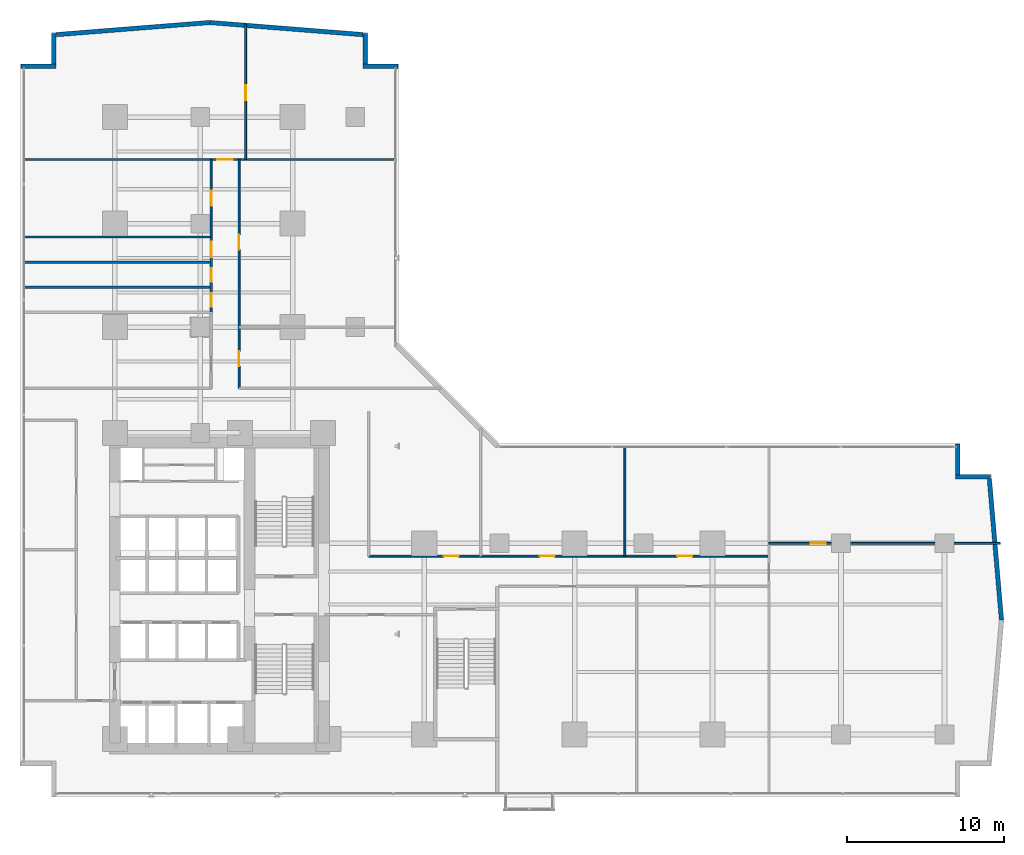
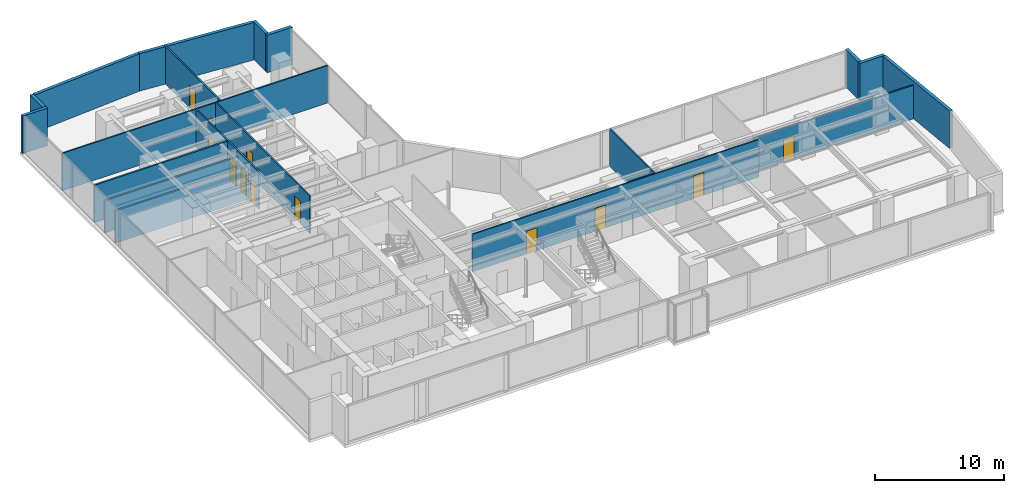
# One storey, part 25 of 30: 20 walls, 12 doors, 12 openings.
"""IFC4 building model written with IfcOpenShell, lengths in metres."""

from ifc_helpers import new_model, si_unit, direction, frame, frame_2d, origin, place, context, subcontext, project, spatial, rectangle, extrude, material, layer, layer_set, type_object, element, fill, save


model = new_model("IFC4")

# Units and contexts
model_context = context("Model", 3, precision=1e-05, world=origin(), true_north=direction((0.0, 1.0)))
body_context = subcontext(model_context, "Body", "Model", "MODEL_VIEW")
ifc_project = project(units=[si_unit("LENGTHUNIT", "METRE"), si_unit("AREAUNIT", "SQUARE_METRE"), si_unit("VOLUMEUNIT", "CUBIC_METRE"), si_unit("PLANEANGLEUNIT", "RADIAN"), si_unit("MASSUNIT", "GRAM", prefix="KILO")], contexts=[model_context])

# Site, building, storey
site_placement = place(None, origin())
site = spatial("IfcSite", under=ifc_project, at=site_placement, CompositionType="ELEMENT")
building_placement = place(site_placement, origin())
building = spatial("IfcBuilding", under=site, at=building_placement, Name="Kolvaren Waterfront Exchange", CompositionType="ELEMENT")
storey_placement = place(building_placement, frame((0.0, 0.0, 52.39990234375)))
storey = spatial("IfcBuildingStorey", under=building, at=storey_placement, Name="L13", CompositionType="ELEMENT", Elevation=52.39990234375)

# Walls
ifc_material_1 = material(Name="Precast concrete C40/50", Category="concrete")
ifc_layer_1 = layer(ifc_material_1, 0.280029296875, Name="Precast concrete C40/50")
ifc_layer_set_1 = layer_set([ifc_layer_1], Name="Precast concrete C40/50")
wall_type_1 = type_object("IfcWallType", Name="ARC-EXT-TERR-280", PredefinedType="SOLIDWALL", material=ifc_layer_set_1)
wall_1_placement = place(storey_placement, frame((61.239990234375, 21.764892578125, 0.0), z_axis=(0.0, 0.0, 1.0), x_axis=(0.0, 1.0, 0.0)))
element("IfcWall", 1, at=wall_1_placement, inside=storey, type_object=wall_type_1, Name="L13 notched corner spandrel pier ENE-A", PredefinedType="SOLIDWALL", context=body_context, shape_type="SweptSolid", body=[
    extrude(rectangle(XDim=1.97509765625, YDim=0.280029296875, at=frame_2d((0.987548828125, 0.0))), origin(), (0.0, 0.0, 1.0), 3.5400390625),
])
for number, where, z_axis, x_axis, name in (
    (2, (61.10009765625, 21.639892578125, 0.0), (0.0, 0.0, 1.0), (1.0, 0.0, 0.0), "L13 notched corner spandrel pier ENE-B"),
    (3, (23.300048828125, 47.840087890625, 0.0), (0.0, 0.0, 1.0), (1.0, 0.0, 0.0), "L13 notched corner spandrel pier NNE-A"),
):
    element("IfcWall", number, at=place(storey_placement, frame(where, z_axis=z_axis, x_axis=x_axis)), inside=storey, type_object=wall_type_1, Name=name, PredefinedType="SOLIDWALL", context=body_context, shape_type="SweptSolid", body=[
        extrude(rectangle(XDim=2.239990234375, YDim=0.280029296875, at=frame_2d((1.1201171875, 0.0))), origin(), (0.0, 0.0, 1.0), 3.5400390625),
    ])
wall_2_placement = place(storey_placement, frame((23.43994140625, 47.97998046875, 0.0), z_axis=(0.0, 0.0, 1.0), x_axis=(0.0, 1.0, 0.0)))
element("IfcWall", 4, at=wall_2_placement, inside=storey, type_object=wall_type_1, Name="L13 notched corner spandrel pier NNE-B", PredefinedType="SOLIDWALL", context=body_context, shape_type="SweptSolid", body=[
    extrude(rectangle(XDim=1.9599609375, YDim=0.280029296875, at=frame_2d((0.97998046875, 0.0))), origin(), (0.0, 0.0, 1.0), 3.5400390625),
])
wall_3_placement = place(storey_placement, frame((1.4599609375, 47.840087890625, 0.0), z_axis=(0.0, 0.0, 1.0), x_axis=(1.0, 0.0, 0.0)))
element("IfcWall", 5, at=wall_3_placement, inside=storey, type_object=wall_type_1, Name="L13 notched corner spandrel pier NW-A", PredefinedType="SOLIDWALL", context=body_context, shape_type="SweptSolid", body=[
    extrude(rectangle(XDim=2.239990234375, YDim=0.280029296875, at=frame_2d((1.1201171875, 0.0))), origin(), (0.0, 0.0, 1.0), 3.5400390625),
])
wall_4_placement = place(storey_placement, frame((3.56005859375, 47.97998046875, 0.0), z_axis=(0.0, 0.0, 1.0), x_axis=(0.0, 1.0, 0.0)))
element("IfcWall", 6, at=wall_4_placement, inside=storey, type_object=wall_type_1, Name="L13 notched corner spandrel pier NW-B", PredefinedType="SOLIDWALL", context=body_context, shape_type="SweptSolid", body=[
    extrude(rectangle(XDim=1.9599609375, YDim=0.280029296875, at=frame_2d((0.97998046875, 0.0))), origin(), (0.0, 0.0, 1.0), 3.5400390625),
])
wall_5_placement = place(storey_placement, frame((64.038818359375, 12.506103515625, 0.0), z_axis=(0.0, 0.0, 1.0), x_axis=(-0.085692274626, 0.996321651912, 0.0)))
element("IfcWall", 7, at=wall_5_placement, inside=storey, type_object=wall_type_1, Name="L13 east prow faceted facade wall 2", PredefinedType="SOLIDWALL", context=body_context, shape_type="SweptSolid", body=[
    extrude(rectangle(XDim=9.014404296875, YDim=0.280029296875, at=frame_2d((4.50732421875, 0.0))), origin(), (0.0, 0.0, 1.0), 3.5400390625),
])
for number, where, z_axis, x_axis, name in (
    (8, (23.288330078125, 49.8642578125, 0.0), (0.0, 0.0, 1.0), (-0.996878337682, 0.078953023125, 0.0), "L13 north prow faceted facade wall 1"),
    (9, (13.49267578125, 50.638916015625, 0.0), (0.0, 0.0, 1.0), (-0.996878337682, -0.078953023125, 0.0), "L13 north prow faceted facade wall 2"),
):
    element("IfcWall", number, at=place(storey_placement, frame(where, z_axis=z_axis, x_axis=x_axis)), inside=storey, type_object=wall_type_1, Name=name, PredefinedType="SOLIDWALL", context=body_context, shape_type="SweptSolid", body=[
        extrude(rectangle(XDim=9.8115234375, YDim=0.280029296875, at=frame_2d((4.90576171875, 0.0))), origin(), (0.0, 0.0, 1.0), 3.5400390625),
    ])

# Wall, opening, door
ifc_material_2 = material(Name="Acoustic gypsum steel stud", Category="steel")
ifc_layer_2 = layer(ifc_material_2, 0.125, Name="Acoustic gypsum steel stud")
ifc_layer_set_2 = layer_set([ifc_layer_2], Name="Acoustic gypsum steel stud")
wall_type_2 = type_object("IfcWallType", Name="ARC-PART-125", PredefinedType="PARTITIONING", material=ifc_layer_set_2)
wall_6_placement = place(storey_placement, frame((49.199951171875, 17.39990234375, 0.0), z_axis=(0.0, 0.0, 1.0), x_axis=(1.0, 0.0, 0.0)))
wall_6 = element("IfcWall", 10, at=wall_6_placement, inside=storey, type_object=wall_type_2, Name="L13 interior wall PW-L13-ETIP-MID", PredefinedType="PARTITIONING", context=body_context, shape_type="SweptSolid", body=[
    extrude(rectangle(XDim=14.760009765625, YDim=0.125, at=frame_2d((7.3798828125, 0.0))), origin(), (0.0, 0.0, 1.0), 3.18017578125),
])
opening_1_placement = place(wall_6_placement, frame((2.66259765625, 0.0, 0.0)))
opening_1 = element("IfcOpeningElement", 11, at=opening_1_placement, cuts=wall_6, Name="Opening D02", PredefinedType="OPENING", context=body_context, shape_type="SweptSolid", body=[
    extrude(rectangle(XDim=0.949951171875, YDim=2.14990234375, at=frame_2d((0.47509765625, 1.074951171875))), frame((0.0, 0.072509765625, 0.0), z_axis=(0.0, -1.0, 0.0), x_axis=(1.0, 0.0, 0.0)), (0.0, 0.0, 1.0), 0.14501953125),
])
ifc_material_3 = material(Name="Oak veneer acoustic timber", Category="wood")
door_type_1 = type_object("IfcDoorType", Name="ARC-DR-950", OperationType="NOTDEFINED", PredefinedType="DOOR", material=ifc_material_3)
door_1_placement = place(opening_1_placement, origin())
door_1 = element("IfcDoor", 12, at=door_1_placement, inside=storey, type_object=door_type_1, Name="L13 door DR-L13-ETIP2-D (D02)", OperationType="SINGLE_SWING_RIGHT", OverallHeight=2.14990234375, OverallWidth=0.949951171875, PredefinedType="DOOR", context=body_context, shape_type="SweptSolid", body=[
    extrude(rectangle(XDim=0.949951171875, YDim=2.14990234375, at=frame_2d((0.47509765625, 1.074951171875))), frame((0.0, 0.02490234375, 0.0), z_axis=(0.0, -1.0, 0.0), x_axis=(1.0, 0.0, 0.0)), (0.0, 0.0, 1.0), 0.050048828125),
])
fill(opening_1, door_1)

# Wall, openings, doors
wall_7_placement = place(storey_placement, frame((23.64990234375, 16.590087890625, 0.0), z_axis=(0.0, 0.0, 1.0), x_axis=(1.0, 0.0, 0.0)))
wall_7 = element("IfcWall", 13, at=wall_7_placement, inside=storey, type_object=wall_type_2, Name="L13 interior wall PW-L13-EN-CORR", PredefinedType="PARTITIONING", context=body_context, shape_type="SweptSolid", body=[
    extrude(rectangle(XDim=25.550048828125, YDim=0.125, at=frame_2d((12.77490234375, 0.0))), origin(), (0.0, 0.0, 1.0), 3.5400390625),
])
opening_2_placement = place(wall_7_placement, frame((4.805419921875, 0.0, 0.0)))
opening_2 = element("IfcOpeningElement", 14, at=opening_2_placement, cuts=wall_7, Name="Opening D02", PredefinedType="OPENING", context=body_context, shape_type="SweptSolid", body=[
    extrude(rectangle(XDim=0.949951171875, YDim=2.14990234375, at=frame_2d((0.47509765625, 1.074951171875))), frame((0.0, 0.072509765625, 0.0), z_axis=(0.0, -1.0, 0.0), x_axis=(1.0, 0.0, 0.0)), (0.0, 0.0, 1.0), 0.14501953125),
])
opening_3_placement = place(wall_7_placement, frame((10.923583984375, 0.0, 0.0)))
opening_3 = element("IfcOpeningElement", 15, at=opening_3_placement, cuts=wall_7, Name="Opening D02", PredefinedType="OPENING", context=body_context, shape_type="SweptSolid", body=[
    extrude(rectangle(XDim=0.949951171875, YDim=2.14990234375, at=frame_2d((0.47509765625, 1.074951171875))), frame((0.0, 0.072509765625, 0.0), z_axis=(0.0, -1.0, 0.0), x_axis=(1.0, 0.0, 0.0)), (0.0, 0.0, 1.0), 0.14501953125),
])
opening_4_placement = place(wall_7_placement, frame((19.701904296875, 0.0, 0.0)))
opening_4 = element("IfcOpeningElement", 16, at=opening_4_placement, cuts=wall_7, Name="Opening D02", PredefinedType="OPENING", context=body_context, shape_type="SweptSolid", body=[
    extrude(rectangle(XDim=0.949951171875, YDim=2.14990234375, at=frame_2d((0.47509765625, 1.074951171875))), frame((0.0, 0.072509765625, 0.0), z_axis=(0.0, -1.0, 0.0), x_axis=(1.0, 0.0, 0.0)), (0.0, 0.0, 1.0), 0.14501953125),
])
door_2_placement = place(opening_2_placement, origin())
door_2 = element("IfcDoor", 17, at=door_2_placement, inside=storey, type_object=door_type_1, Name="L13 door DR-L13-EN-D-1 (D02)", OperationType="SINGLE_SWING_LEFT", OverallHeight=2.14990234375, OverallWidth=0.949951171875, PredefinedType="DOOR", context=body_context, shape_type="SweptSolid", body=[
    extrude(rectangle(XDim=0.949951171875, YDim=2.14990234375, at=frame_2d((0.47509765625, 1.074951171875))), frame((0.0, 0.02490234375, 0.0), z_axis=(0.0, -1.0, 0.0), x_axis=(1.0, 0.0, 0.0)), (0.0, 0.0, 1.0), 0.050048828125),
])
fill(opening_2, door_2)
door_3_placement = place(opening_3_placement, origin())
door_3 = element("IfcDoor", 18, at=door_3_placement, inside=storey, type_object=door_type_1, Name="L13 door DR-L13-EN-D-2 (D02)", OperationType="SINGLE_SWING_RIGHT", OverallHeight=2.14990234375, OverallWidth=0.949951171875, PredefinedType="DOOR", context=body_context, shape_type="SweptSolid", body=[
    extrude(rectangle(XDim=0.949951171875, YDim=2.14990234375, at=frame_2d((0.47509765625, 1.074951171875))), frame((0.0, 0.02490234375, 0.0), z_axis=(0.0, -1.0, 0.0), x_axis=(1.0, 0.0, 0.0)), (0.0, 0.0, 1.0), 0.050048828125),
])
fill(opening_3, door_3)
door_4_placement = place(opening_4_placement, origin())
door_4 = element("IfcDoor", 19, at=door_4_placement, inside=storey, type_object=door_type_1, Name="L13 door DR-L13-EN-D-3 (D02)", OperationType="SINGLE_SWING_LEFT", OverallHeight=2.14990234375, OverallWidth=0.949951171875, PredefinedType="DOOR", context=body_context, shape_type="SweptSolid", body=[
    extrude(rectangle(XDim=0.949951171875, YDim=2.14990234375, at=frame_2d((0.47509765625, 1.074951171875))), frame((0.0, 0.02490234375, 0.0), z_axis=(0.0, -1.0, 0.0), x_axis=(1.0, 0.0, 0.0)), (0.0, 0.0, 1.0), 0.050048828125),
])
fill(opening_4, door_4)

# Wall
wall_8_placement = place(storey_placement, frame((40.0, 16.590087890625, 0.0), z_axis=(0.0, 0.0, 1.0), x_axis=(0.0, 1.0, 0.0)))
element("IfcWall", 20, at=wall_8_placement, inside=storey, type_object=wall_type_2, Name="L13 interior wall PW-L13-EN-DIV-2", PredefinedType="PARTITIONING", context=body_context, shape_type="SweptSolid", body=[
    extrude(rectangle(XDim=6.969970703125, YDim=0.125, at=frame_2d((3.48486328125, 0.0))), origin(), (0.0, 0.0, 1.0), 3.5400390625),
])

# Wall, opening, door
wall_9_placement = place(storey_placement, frame((13.60009765625, 36.949951171875, 0.0), z_axis=(0.0, 0.0, 1.0), x_axis=(0.0, 1.0, 0.0)))
wall_9 = element("IfcWall", 21, at=wall_9_placement, inside=storey, type_object=wall_type_2, Name="L13 interior wall PW-L13-NW-CORR", PredefinedType="PARTITIONING", context=body_context, shape_type="SweptSolid", body=[
    extrude(rectangle(XDim=4.949951171875, YDim=0.125, at=frame_2d((2.47509765625, 0.0))), origin(), (0.0, 0.0, 1.0), 3.5400390625),
])
opening_5_placement = place(wall_9_placement, frame((2.0, 0.0, 0.0)))
opening_5 = element("IfcOpeningElement", 22, at=opening_5_placement, cuts=wall_9, Name="Opening D02", PredefinedType="OPENING", context=body_context, shape_type="SweptSolid", body=[
    extrude(rectangle(XDim=0.949951171875, YDim=2.14990234375, at=frame_2d((0.47509765625, 1.074951171875))), frame((0.0, 0.072509765625, 0.0), z_axis=(0.0, -1.0, 0.0), x_axis=(1.0, 0.0, 0.0)), (0.0, 0.0, 1.0), 0.14501953125),
])
door_5_placement = place(opening_5_placement, origin())
door_5 = element("IfcDoor", 23, at=door_5_placement, inside=storey, type_object=door_type_1, Name="L13 door DR-L13-NW-D-1 (D02)", OperationType="SINGLE_SWING_RIGHT", OverallHeight=2.14990234375, OverallWidth=0.949951171875, PredefinedType="DOOR", context=body_context, shape_type="SweptSolid", body=[
    extrude(rectangle(XDim=0.949951171875, YDim=2.14990234375, at=frame_2d((0.47509765625, 1.074951171875))), frame((0.0, 0.02490234375, 0.0), z_axis=(0.0, -1.0, 0.0), x_axis=(1.0, 0.0, 0.0)), (0.0, 0.0, 1.0), 0.050048828125),
])
fill(opening_5, door_5)

wall_10_placement = place(storey_placement, frame((1.639892578125, 41.89990234375, 0.0), z_axis=(0.0, 0.0, 1.0), x_axis=(1.0, 0.0, 0.0)))
wall_10 = element("IfcWall", 24, at=wall_10_placement, inside=storey, type_object=wall_type_2, Name="L13 interior wall PW-L13-NTIP-S", PredefinedType="PARTITIONING", context=body_context, shape_type="SweptSolid", body=[
    extrude(rectangle(XDim=23.72021484375, YDim=0.125, at=frame_2d((11.860107421875, 0.0))), origin(), (0.0, 0.0, 1.0), 3.5400390625),
])
opening_6_placement = place(wall_10_placement, frame((12.35009765625, 0.0, 0.0)))
opening_6 = element("IfcOpeningElement", 25, at=opening_6_placement, cuts=wall_10, Name="Opening D03", PredefinedType="OPENING", context=body_context, shape_type="SweptSolid", body=[
    extrude(rectangle(XDim=1.0, YDim=2.199951171875, at=frame_2d((0.5, 1.10009765625))), frame((0.0, 0.072509765625, 0.0), z_axis=(0.0, -1.0, 0.0), x_axis=(1.0, 0.0, 0.0)), (0.0, 0.0, 1.0), 0.14501953125),
])
ifc_material_4 = material(Name="Oak veneer accessible timber", Category="wood")
door_type_2 = type_object("IfcDoorType", Name="ARC-DR-1000", OperationType="NOTDEFINED", PredefinedType="DOOR", material=ifc_material_4)
door_6_placement = place(opening_6_placement, origin())
door_6 = element("IfcDoor", 26, at=door_6_placement, inside=storey, type_object=door_type_2, Name="L13 door DR-L13-NTIPW-D (D03)", OperationType="SINGLE_SWING_LEFT", OverallHeight=2.199951171875, OverallWidth=1.0, PredefinedType="DOOR", context=body_context, shape_type="SweptSolid", body=[
    extrude(rectangle(XDim=1.0, YDim=2.199951171875, at=frame_2d((0.5, 1.10009765625))), frame((0.0, 0.02490234375, 0.0), z_axis=(0.0, -1.0, 0.0), x_axis=(1.0, 0.0, 0.0)), (0.0, 0.0, 1.0), 0.050048828125),
])
fill(opening_6, door_6)

wall_11_placement = place(storey_placement, frame((15.800048828125, 41.89990234375, 0.0), z_axis=(0.0, 0.0, 1.0), x_axis=(0.0, 1.0, 0.0)))
wall_11 = element("IfcWall", 27, at=wall_11_placement, inside=storey, type_object=wall_type_2, Name="L13 interior wall PW-L13-NTIP-DIV", PredefinedType="PARTITIONING", context=body_context, shape_type="SweptSolid", body=[
    extrude(rectangle(XDim=8.66015625, YDim=0.125, at=frame_2d((4.330078125, 0.0))), origin(), (0.0, 0.0, 1.0), 3.5400390625),
])
opening_7_placement = place(wall_11_placement, frame((3.77880859375, 0.0, 0.0)))
opening_7 = element("IfcOpeningElement", 28, at=opening_7_placement, cuts=wall_11, Name="Opening D02", PredefinedType="OPENING", context=body_context, shape_type="SweptSolid", body=[
    extrude(rectangle(XDim=0.949951171875, YDim=2.14990234375, at=frame_2d((0.47509765625, 1.074951171875))), frame((0.0, 0.072509765625, 0.0), z_axis=(0.0, -1.0, 0.0), x_axis=(1.0, 0.0, 0.0)), (0.0, 0.0, 1.0), 0.14501953125),
])
door_7_placement = place(opening_7_placement, origin())
door_7 = element("IfcDoor", 29, at=door_7_placement, inside=storey, type_object=door_type_1, Name="L13 door DR-L13-NTIPE-D (D02)", OperationType="SINGLE_SWING_RIGHT", OverallHeight=2.14990234375, OverallWidth=0.949951171875, PredefinedType="DOOR", context=body_context, shape_type="SweptSolid", body=[
    extrude(rectangle(XDim=0.949951171875, YDim=2.14990234375, at=frame_2d((0.47509765625, 1.074951171875))), frame((0.0, 0.02490234375, 0.0), z_axis=(0.0, -1.0, 0.0), x_axis=(1.0, 0.0, 0.0)), (0.0, 0.0, 1.0), 0.050048828125),
])
fill(opening_7, door_7)

# Wall, openings, doors
wall_12_placement = place(storey_placement, frame((15.3798828125, 27.300048828125, 0.0), z_axis=(0.0, 0.0, 1.0), x_axis=(0.0, 1.0, 0.0)))
wall_12 = element("IfcWall", 30, at=wall_12_placement, inside=storey, type_object=wall_type_2, Name="L13 interior wall PW-L13-NE-CORR", PredefinedType="PARTITIONING", context=body_context, shape_type="SweptSolid", body=[
    extrude(rectangle(XDim=14.599853515625, YDim=0.125, at=frame_2d((7.2998046875, 0.0))), origin(), (0.0, 0.0, 1.0), 3.5400390625),
])
opening_8_placement = place(wall_12_placement, frame((1.4033203125, 0.0, 0.0)))
opening_8 = element("IfcOpeningElement", 31, at=opening_8_placement, cuts=wall_12, Name="Opening D02", PredefinedType="OPENING", context=body_context, shape_type="SweptSolid", body=[
    extrude(rectangle(XDim=0.949951171875, YDim=2.14990234375, at=frame_2d((0.47509765625, 1.074951171875))), frame((0.0, 0.072509765625, 0.0), z_axis=(0.0, -1.0, 0.0), x_axis=(1.0, 0.0, 0.0)), (0.0, 0.0, 1.0), 0.14501953125),
])
opening_9_placement = place(wall_12_placement, frame((8.845947265625, 0.0, 0.0)))
opening_9 = element("IfcOpeningElement", 32, at=opening_9_placement, cuts=wall_12, Name="Opening D02", PredefinedType="OPENING", context=body_context, shape_type="SweptSolid", body=[
    extrude(rectangle(XDim=0.949951171875, YDim=2.14990234375, at=frame_2d((0.47509765625, 1.074951171875))), frame((0.0, 0.072509765625, 0.0), z_axis=(0.0, -1.0, 0.0), x_axis=(1.0, 0.0, 0.0)), (0.0, 0.0, 1.0), 0.14501953125),
])
door_8_placement = place(opening_8_placement, origin())
door_8 = element("IfcDoor", 33, at=door_8_placement, inside=storey, type_object=door_type_1, Name="L13 door DR-L13-NE-D-1 (D02)", OperationType="SINGLE_SWING_LEFT", OverallHeight=2.14990234375, OverallWidth=0.949951171875, PredefinedType="DOOR", context=body_context, shape_type="SweptSolid", body=[
    extrude(rectangle(XDim=0.949951171875, YDim=2.14990234375, at=frame_2d((0.47509765625, 1.074951171875))), frame((0.0, 0.02490234375, 0.0), z_axis=(0.0, -1.0, 0.0), x_axis=(1.0, 0.0, 0.0)), (0.0, 0.0, 1.0), 0.050048828125),
])
fill(opening_8, door_8)
door_9_placement = place(opening_9_placement, origin())
door_9 = element("IfcDoor", 34, at=door_9_placement, inside=storey, type_object=door_type_1, Name="L13 door DR-L13-NE-D-2 (D02)", OperationType="SINGLE_SWING_RIGHT", OverallHeight=2.14990234375, OverallWidth=0.949951171875, PredefinedType="DOOR", context=body_context, shape_type="SweptSolid", body=[
    extrude(rectangle(XDim=0.949951171875, YDim=2.14990234375, at=frame_2d((0.47509765625, 1.074951171875))), frame((0.0, 0.02490234375, 0.0), z_axis=(0.0, -1.0, 0.0), x_axis=(1.0, 0.0, 0.0)), (0.0, 0.0, 1.0), 0.050048828125),
])
fill(opening_9, door_9)

ifc_material_5 = material(Name="Moisture-resistant gypsum stud")
ifc_layer_3 = layer(ifc_material_5, 0.14990234375, Name="Moisture-resistant gypsum stud")
ifc_layer_set_3 = layer_set([ifc_layer_3], Name="Moisture-resistant gypsum stud")
wall_type_3 = type_object("IfcWallType", Name="ARC-PLUMB-150", PredefinedType="PLUMBINGWALL", material=ifc_layer_set_3)
wall_13_placement = place(storey_placement, frame((13.60009765625, 32.14990234375, 0.0), z_axis=(0.0, 0.0, 1.0), x_axis=(0.0, 1.0, 0.0)))
wall_13 = element("IfcWall", 35, at=wall_13_placement, inside=storey, type_object=wall_type_3, Name="L13 interior wall PW-L13-WC-E", PredefinedType="PLUMBINGWALL", context=body_context, shape_type="SweptSolid", body=[
    extrude(rectangle(XDim=4.800048828125, YDim=0.14990234375, at=frame_2d((2.39990234375, 0.0))), origin(), (0.0, 0.0, 1.0), 3.5400390625),
])
opening_10_placement = place(wall_13_placement, frame((0.35009765625, 0.0, 0.0)))
opening_10 = element("IfcOpeningElement", 36, at=opening_10_placement, cuts=wall_13, Name="Opening D01", PredefinedType="OPENING", context=body_context, shape_type="SweptSolid", body=[
    extrude(rectangle(XDim=0.85009765625, YDim=2.14990234375, at=frame_2d((0.425048828125, 1.074951171875))), frame((0.0, 0.0849609375, 0.0), z_axis=(0.0, -1.0, 0.0), x_axis=(1.0, 0.0, 0.0)), (0.0, 0.0, 1.0), 0.169921875),
])
opening_11_placement = place(wall_13_placement, frame((1.949951171875, 0.0, 0.0)))
opening_11 = element("IfcOpeningElement", 37, at=opening_11_placement, cuts=wall_13, Name="Opening D01", PredefinedType="OPENING", context=body_context, shape_type="SweptSolid", body=[
    extrude(rectangle(XDim=0.85009765625, YDim=2.14990234375, at=frame_2d((0.425048828125, 1.074951171875))), frame((0.0, 0.0849609375, 0.0), z_axis=(0.0, -1.0, 0.0), x_axis=(1.0, 0.0, 0.0)), (0.0, 0.0, 1.0), 0.169921875),
])
opening_12_placement = place(wall_13_placement, frame((3.5, 0.0, 0.0)))
opening_12 = element("IfcOpeningElement", 38, at=opening_12_placement, cuts=wall_13, Name="Opening D03", PredefinedType="OPENING", context=body_context, shape_type="SweptSolid", body=[
    extrude(rectangle(XDim=1.0, YDim=2.199951171875, at=frame_2d((0.5, 1.10009765625))), frame((0.0, 0.0849609375, 0.0), z_axis=(0.0, -1.0, 0.0), x_axis=(1.0, 0.0, 0.0)), (0.0, 0.0, 1.0), 0.169921875),
])
door_10_placement = place(opening_12_placement, origin())
door_10 = element("IfcDoor", 39, at=door_10_placement, inside=storey, type_object=door_type_2, Name="L13 door DR-L13-WCA-D (D03)", OperationType="SINGLE_SWING_RIGHT", OverallHeight=2.199951171875, OverallWidth=1.0, PredefinedType="DOOR", context=body_context, shape_type="SweptSolid", body=[
    extrude(rectangle(XDim=1.0, YDim=2.199951171875, at=frame_2d((0.5, 1.10009765625))), frame((0.0, 0.02490234375, 0.0), z_axis=(0.0, -1.0, 0.0), x_axis=(1.0, 0.0, 0.0)), (0.0, 0.0, 1.0), 0.050048828125),
])
fill(opening_12, door_10)
ifc_material_6 = material(Name="Oak veneer timber leaf", Category="wood")
door_type_3 = type_object("IfcDoorType", Name="ARC-DR-900", OperationType="NOTDEFINED", PredefinedType="DOOR", material=ifc_material_6)
door_11_placement = place(opening_10_placement, origin())
door_11 = element("IfcDoor", 40, at=door_11_placement, inside=storey, type_object=door_type_3, Name="L13 door DR-L13-WCM-D (D01)", OperationType="SINGLE_SWING_RIGHT", OverallHeight=2.14990234375, OverallWidth=0.85009765625, PredefinedType="DOOR", context=body_context, shape_type="SweptSolid", body=[
    extrude(rectangle(XDim=0.85009765625, YDim=2.14990234375, at=frame_2d((0.425048828125, 1.074951171875))), frame((0.0, 0.02490234375, 0.0), z_axis=(0.0, -1.0, 0.0), x_axis=(1.0, 0.0, 0.0)), (0.0, 0.0, 1.0), 0.050048828125),
])
fill(opening_10, door_11)
door_12_placement = place(opening_11_placement, origin())
door_12 = element("IfcDoor", 41, at=door_12_placement, inside=storey, type_object=door_type_3, Name="L13 door DR-L13-WCF-D (D01)", OperationType="SINGLE_SWING_LEFT", OverallHeight=2.14990234375, OverallWidth=0.85009765625, PredefinedType="DOOR", context=body_context, shape_type="SweptSolid", body=[
    extrude(rectangle(XDim=0.85009765625, YDim=2.14990234375, at=frame_2d((0.425048828125, 1.074951171875))), frame((0.0, 0.02490234375, 0.0), z_axis=(0.0, -1.0, 0.0), x_axis=(1.0, 0.0, 0.0)), (0.0, 0.0, 1.0), 0.050048828125),
])
fill(opening_11, door_12)

# Walls
for number, where, z_axis, x_axis, name in (
    (42, (1.639892578125, 33.75, 0.0), (0.0, 0.0, 1.0), (1.0, 0.0, 0.0), "L13 interior wall PW-L13-WC-1"),
    (43, (1.639892578125, 35.35009765625, 0.0), (0.0, 0.0, 1.0), (1.0, 0.0, 0.0), "L13 interior wall PW-L13-WC-2"),
):
    element("IfcWall", number, at=place(storey_placement, frame(where, z_axis=z_axis, x_axis=x_axis)), inside=storey, type_object=wall_type_3, Name=name, PredefinedType="PLUMBINGWALL", context=body_context, shape_type="SweptSolid", body=[
        extrude(rectangle(XDim=11.960205078125, YDim=0.14990234375, at=frame_2d((5.97998046875, 0.0))), origin(), (0.0, 0.0, 1.0), 3.0400390625),
    ])
wall_14_placement = place(storey_placement, frame((1.639892578125, 36.949951171875, 0.0), z_axis=(0.0, 0.0, 1.0), x_axis=(1.0, 0.0, 0.0)))
element("IfcWall", 44, at=wall_14_placement, inside=storey, type_object=wall_type_3, Name="L13 interior wall PW-L13-WC-3", PredefinedType="PLUMBINGWALL", context=body_context, shape_type="SweptSolid", body=[
    extrude(rectangle(XDim=11.960205078125, YDim=0.14990234375, at=frame_2d((5.97998046875, 0.0))), origin(), (0.0, 0.0, 1.0), 3.5400390625),
])

save(model, "model.ifc")
